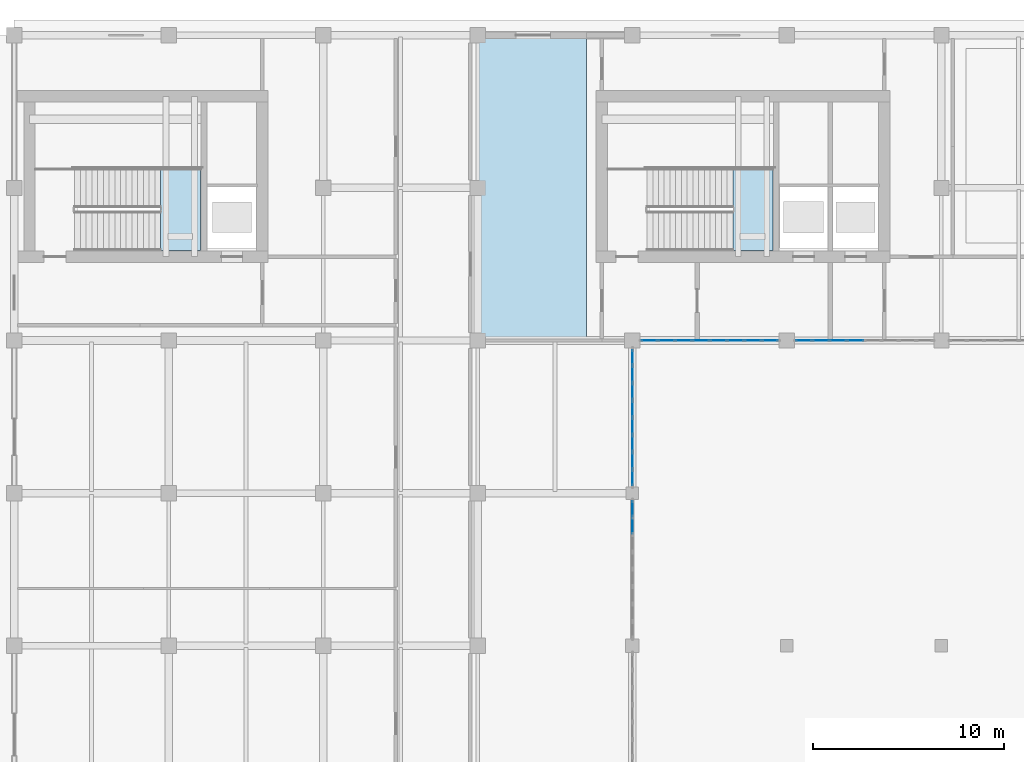
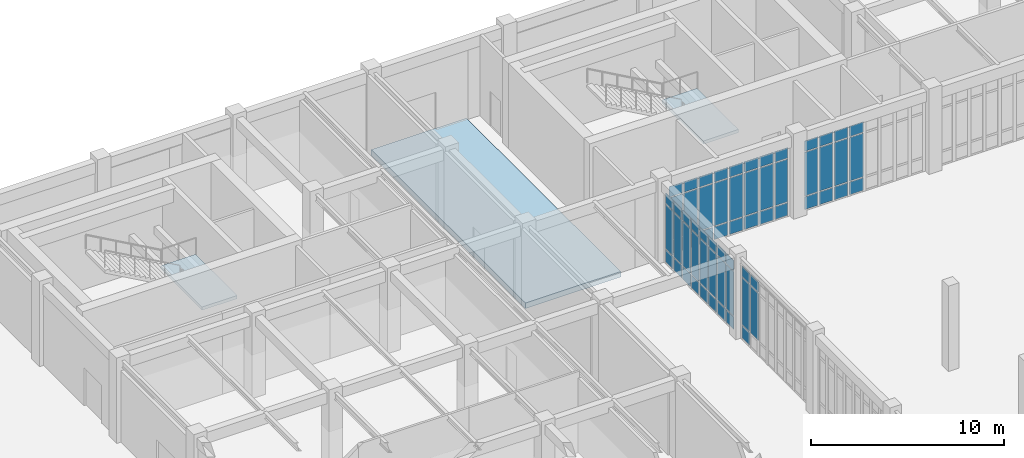
# One storey, part 35 of 62: 65 plates, 3 slabs, 6 elements without a shape of their own.
"""IFC4 building model written with IfcOpenShell, lengths in metres."""

from ifc_helpers import new_model, si_unit, direction, frame, origin, origin_2d, place, context, subcontext, project, spatial, polyline, rectangle, outline, extrude, material, layer, layer_set, type_object, element, aggregate, save


model = new_model("IFC4")

# Units and contexts
model_context = context("Model", 3, precision=1e-05, world=origin(), true_north=direction((0.0, 1.0)))
body_context = subcontext(model_context, "Body", "Model", "MODEL_VIEW")
ifc_project = project(units=[si_unit("LENGTHUNIT", "METRE"), si_unit("AREAUNIT", "SQUARE_METRE"), si_unit("VOLUMEUNIT", "CUBIC_METRE"), si_unit("PLANEANGLEUNIT", "RADIAN"), si_unit("MASSUNIT", "GRAM", prefix="KILO")], contexts=[model_context])

# Site, building, storey
site_placement = place(None, origin())
site = spatial("IfcSite", under=ifc_project, at=site_placement, CompositionType="ELEMENT")
building_placement = place(site_placement, origin())
building = spatial("IfcBuilding", under=site, at=building_placement, Name="Tarnveldt Square Police Headquarters", CompositionType="ELEMENT")
storey_placement = place(building_placement, origin())
storey = spatial("IfcBuildingStorey", under=building, at=storey_placement, Name="L00", CompositionType="ELEMENT", Elevation=0.0)

# Curtain wall, plates
ifc_material_1 = material(Name="Triple-glazed low-e laminated vision glass", Category="glass")
curtain_wall_type_1 = type_object("IfcCurtainWallType", Name="CW-WG-730x470", PredefinedType="USERDEFINED", material=ifc_material_1)
curtain_wall_1_placement = place(storey_placement, origin())
curtain_wall_1 = element("IfcCurtainWall", 1, at=curtain_wall_1_placement, inside=storey, type_object=curtain_wall_type_1, Name="L00 Curtain Wall CW-L00-065", ObjectType="GLAZED CURTAIN WALL", PredefinedType="USERDEFINED")
ifc_layer_1 = layer(ifc_material_1, 0.028076171875)
ifc_layer_set_1 = layer_set([ifc_layer_1], Name="Triple-glazed low-e laminated vision glass")
plate_type = type_object("IfcPlateType", Name="CWP-VIS-28", PredefinedType="CURTAIN_PANEL", material=ifc_layer_set_1)
plate_1_placement = place(storey_placement, frame((48.60009765625, 86.292236328125, 0.9375), z_axis=(0.0, 0.0, 1.0), x_axis=(0.0, 1.0, 0.0)))
plate_1 = element("IfcPlate", 2, at=plate_1_placement, type_object=plate_type, Name="CW-WG26 panel 7.2", PredefinedType="CURTAIN_PANEL", context=body_context, shape_type="SweptSolid", body=[
    extrude(rectangle(XDim=0.826904296875, YDim=0.028076171875, at=origin_2d()), origin(), (0.0, 0.0, 1.0), 2.969970703125),
])
plate_2_placement = place(storey_placement, frame((48.60009765625, 86.292236328125, 3.982421875), z_axis=(0.0, 0.0, 1.0), x_axis=(0.0, 1.0, 0.0)))
plate_2 = element("IfcPlate", 3, at=plate_2_placement, type_object=plate_type, Name="CW-WG26 panel 7.3", PredefinedType="CURTAIN_PANEL", context=body_context, shape_type="SweptSolid", body=[
    extrude(rectangle(XDim=0.826904296875, YDim=0.028076171875, at=origin_2d()), origin(), (0.0, 0.0, 1.0), 0.637451171875),
])
plate_3_placement = place(storey_placement, frame((48.60009765625, 87.182861328125, 0.074951171875), z_axis=(0.0, 0.0, 1.0), x_axis=(0.0, 1.0, 0.0)))
plate_3 = element("IfcPlate", 4, at=plate_3_placement, type_object=plate_type, Name="CW-WG26 panel 8.1", PredefinedType="CURTAIN_PANEL", context=body_context, shape_type="SweptSolid", body=[
    extrude(rectangle(XDim=0.784423828125, YDim=0.028076171875, at=origin_2d()), origin(), (0.0, 0.0, 1.0), 0.78759765625),
])
plate_4_placement = place(storey_placement, frame((48.60009765625, 87.182861328125, 0.9375), z_axis=(0.0, 0.0, 1.0), x_axis=(0.0, 1.0, 0.0)))
plate_4 = element("IfcPlate", 5, at=plate_4_placement, type_object=plate_type, Name="CW-WG26 panel 8.2", PredefinedType="CURTAIN_PANEL", context=body_context, shape_type="SweptSolid", body=[
    extrude(rectangle(XDim=0.784423828125, YDim=0.028076171875, at=origin_2d()), origin(), (0.0, 0.0, 1.0), 2.969970703125),
])
plate_5_placement = place(storey_placement, frame((48.60009765625, 87.182861328125, 3.982421875), z_axis=(0.0, 0.0, 1.0), x_axis=(0.0, 1.0, 0.0)))
plate_5 = element("IfcPlate", 6, at=plate_5_placement, type_object=plate_type, Name="CW-WG26 panel 8.3", PredefinedType="CURTAIN_PANEL", context=body_context, shape_type="SweptSolid", body=[
    extrude(rectangle(XDim=0.784423828125, YDim=0.028076171875, at=origin_2d()), origin(), (0.0, 0.0, 1.0), 0.637451171875),
])
aggregate(curtain_wall_1, [plate_1, plate_2, plate_3, plate_4, plate_5])

curtain_wall_type_2 = type_object("IfcCurtainWallType", Name="CW-WG-724x451", PredefinedType="USERDEFINED", material=ifc_material_1)
curtain_wall_2_placement = place(storey_placement, origin())
curtain_wall_2 = element("IfcCurtainWall", 7, at=curtain_wall_2_placement, inside=storey, type_object=curtain_wall_type_2, Name="L00 Curtain Wall CW-L00-066", ObjectType="GLAZED CURTAIN WALL", PredefinedType="USERDEFINED")
plate_6_placement = place(storey_placement, frame((48.60009765625, 88.81396484375, 0.074951171875), z_axis=(0.0, 0.0, 1.0), x_axis=(0.0, 1.0, 0.0)))
plate_6 = element("IfcPlate", 8, at=plate_6_placement, type_object=plate_type, Name="CW-WG27 panel 1.1", PredefinedType="CURTAIN_PANEL", context=body_context, shape_type="SweptSolid", body=[
    extrude(rectangle(XDim=0.778076171875, YDim=0.028076171875, at=origin_2d()), origin(), (0.0, 0.0, 1.0), 0.78759765625),
])
plate_7_placement = place(storey_placement, frame((48.60009765625, 88.81396484375, 0.9375), z_axis=(0.0, 0.0, 1.0), x_axis=(0.0, 1.0, 0.0)))
plate_7 = element("IfcPlate", 9, at=plate_7_placement, type_object=plate_type, Name="CW-WG27 panel 1.2", PredefinedType="CURTAIN_PANEL", context=body_context, shape_type="SweptSolid", body=[
    extrude(rectangle(XDim=0.778076171875, YDim=0.028076171875, at=origin_2d()), origin(), (0.0, 0.0, 1.0), 2.787109375),
])
plate_8_placement = place(storey_placement, frame((48.60009765625, 88.81396484375, 3.79931640625), z_axis=(0.0, 0.0, 1.0), x_axis=(0.0, 1.0, 0.0)))
plate_8 = element("IfcPlate", 10, at=plate_8_placement, type_object=plate_type, Name="CW-WG27 panel 1.3", PredefinedType="CURTAIN_PANEL", context=body_context, shape_type="SweptSolid", body=[
    extrude(rectangle(XDim=0.778076171875, YDim=0.028076171875, at=origin_2d()), origin(), (0.0, 0.0, 1.0), 0.637451171875),
])
plate_9_placement = place(storey_placement, frame((48.60009765625, 89.698486328125, 0.074951171875), z_axis=(0.0, 0.0, 1.0), x_axis=(0.0, 1.0, 0.0)))
plate_9 = element("IfcPlate", 11, at=plate_9_placement, type_object=plate_type, Name="CW-WG27 panel 2.1", PredefinedType="CURTAIN_PANEL", context=body_context, shape_type="SweptSolid", body=[
    extrude(rectangle(XDim=0.820556640625, YDim=0.028076171875, at=origin_2d()), origin(), (0.0, 0.0, 1.0), 0.78759765625),
])
plate_10_placement = place(storey_placement, frame((48.60009765625, 89.698486328125, 0.9375), z_axis=(0.0, 0.0, 1.0), x_axis=(0.0, 1.0, 0.0)))
plate_10 = element("IfcPlate", 12, at=plate_10_placement, type_object=plate_type, Name="CW-WG27 panel 2.2", PredefinedType="CURTAIN_PANEL", context=body_context, shape_type="SweptSolid", body=[
    extrude(rectangle(XDim=0.820556640625, YDim=0.028076171875, at=origin_2d()), origin(), (0.0, 0.0, 1.0), 2.787109375),
])
plate_11_placement = place(storey_placement, frame((48.60009765625, 89.698486328125, 3.79931640625), z_axis=(0.0, 0.0, 1.0), x_axis=(0.0, 1.0, 0.0)))
plate_11 = element("IfcPlate", 13, at=plate_11_placement, type_object=plate_type, Name="CW-WG27 panel 2.3", PredefinedType="CURTAIN_PANEL", context=body_context, shape_type="SweptSolid", body=[
    extrude(rectangle(XDim=0.820556640625, YDim=0.028076171875, at=origin_2d()), origin(), (0.0, 0.0, 1.0), 0.637451171875),
])
plate_12_placement = place(storey_placement, frame((48.60009765625, 90.60400390625, 0.074951171875), z_axis=(0.0, 0.0, 1.0), x_axis=(0.0, 1.0, 0.0)))
plate_12 = element("IfcPlate", 14, at=plate_12_placement, type_object=plate_type, Name="CW-WG27 panel 3.1", PredefinedType="CURTAIN_PANEL", context=body_context, shape_type="SweptSolid", body=[
    extrude(rectangle(XDim=0.820556640625, YDim=0.028076171875, at=origin_2d()), origin(), (0.0, 0.0, 1.0), 0.78759765625),
])
plate_13_placement = place(storey_placement, frame((48.60009765625, 90.60400390625, 0.9375), z_axis=(0.0, 0.0, 1.0), x_axis=(0.0, 1.0, 0.0)))
plate_13 = element("IfcPlate", 15, at=plate_13_placement, type_object=plate_type, Name="CW-WG27 panel 3.2", PredefinedType="CURTAIN_PANEL", context=body_context, shape_type="SweptSolid", body=[
    extrude(rectangle(XDim=0.820556640625, YDim=0.028076171875, at=origin_2d()), origin(), (0.0, 0.0, 1.0), 2.787109375),
])
plate_14_placement = place(storey_placement, frame((48.60009765625, 90.60400390625, 3.79931640625), z_axis=(0.0, 0.0, 1.0), x_axis=(0.0, 1.0, 0.0)))
plate_14 = element("IfcPlate", 16, at=plate_14_placement, type_object=plate_type, Name="CW-WG27 panel 3.3", PredefinedType="CURTAIN_PANEL", context=body_context, shape_type="SweptSolid", body=[
    extrude(rectangle(XDim=0.820556640625, YDim=0.028076171875, at=origin_2d()), origin(), (0.0, 0.0, 1.0), 0.637451171875),
])
plate_15_placement = place(storey_placement, frame((48.60009765625, 91.509765625, 0.074951171875), z_axis=(0.0, 0.0, 1.0), x_axis=(0.0, 1.0, 0.0)))
plate_15 = element("IfcPlate", 17, at=plate_15_placement, type_object=plate_type, Name="CW-WG27 panel 4.1", PredefinedType="CURTAIN_PANEL", context=body_context, shape_type="SweptSolid", body=[
    extrude(rectangle(XDim=0.820556640625, YDim=0.028076171875, at=origin_2d()), origin(), (0.0, 0.0, 1.0), 0.78759765625),
])
plate_16_placement = place(storey_placement, frame((48.60009765625, 91.509765625, 0.9375), z_axis=(0.0, 0.0, 1.0), x_axis=(0.0, 1.0, 0.0)))
plate_16 = element("IfcPlate", 18, at=plate_16_placement, type_object=plate_type, Name="CW-WG27 panel 4.2", PredefinedType="CURTAIN_PANEL", context=body_context, shape_type="SweptSolid", body=[
    extrude(rectangle(XDim=0.820556640625, YDim=0.028076171875, at=origin_2d()), origin(), (0.0, 0.0, 1.0), 2.787109375),
])
plate_17_placement = place(storey_placement, frame((48.60009765625, 91.509765625, 3.79931640625), z_axis=(0.0, 0.0, 1.0), x_axis=(0.0, 1.0, 0.0)))
plate_17 = element("IfcPlate", 19, at=plate_17_placement, type_object=plate_type, Name="CW-WG27 panel 4.3", PredefinedType="CURTAIN_PANEL", context=body_context, shape_type="SweptSolid", body=[
    extrude(rectangle(XDim=0.820556640625, YDim=0.028076171875, at=origin_2d()), origin(), (0.0, 0.0, 1.0), 0.637451171875),
])
plate_18_placement = place(storey_placement, frame((48.60009765625, 92.415283203125, 0.074951171875), z_axis=(0.0, 0.0, 1.0), x_axis=(0.0, 1.0, 0.0)))
plate_18 = element("IfcPlate", 20, at=plate_18_placement, type_object=plate_type, Name="CW-WG27 panel 5.1", PredefinedType="CURTAIN_PANEL", context=body_context, shape_type="SweptSolid", body=[
    extrude(rectangle(XDim=0.820556640625, YDim=0.028076171875, at=origin_2d()), origin(), (0.0, 0.0, 1.0), 0.78759765625),
])
plate_19_placement = place(storey_placement, frame((48.60009765625, 92.415283203125, 0.9375), z_axis=(0.0, 0.0, 1.0), x_axis=(0.0, 1.0, 0.0)))
plate_19 = element("IfcPlate", 21, at=plate_19_placement, type_object=plate_type, Name="CW-WG27 panel 5.2", PredefinedType="CURTAIN_PANEL", context=body_context, shape_type="SweptSolid", body=[
    extrude(rectangle(XDim=0.820556640625, YDim=0.028076171875, at=origin_2d()), origin(), (0.0, 0.0, 1.0), 2.787109375),
])
plate_20_placement = place(storey_placement, frame((48.60009765625, 92.415283203125, 3.79931640625), z_axis=(0.0, 0.0, 1.0), x_axis=(0.0, 1.0, 0.0)))
plate_20 = element("IfcPlate", 22, at=plate_20_placement, type_object=plate_type, Name="CW-WG27 panel 5.3", PredefinedType="CURTAIN_PANEL", context=body_context, shape_type="SweptSolid", body=[
    extrude(rectangle(XDim=0.820556640625, YDim=0.028076171875, at=origin_2d()), origin(), (0.0, 0.0, 1.0), 0.637451171875),
])
plate_21_placement = place(storey_placement, frame((48.60009765625, 93.321044921875, 0.074951171875), z_axis=(0.0, 0.0, 1.0), x_axis=(0.0, 1.0, 0.0)))
plate_21 = element("IfcPlate", 23, at=plate_21_placement, type_object=plate_type, Name="CW-WG27 panel 6.1", PredefinedType="CURTAIN_PANEL", context=body_context, shape_type="SweptSolid", body=[
    extrude(rectangle(XDim=0.820556640625, YDim=0.028076171875, at=origin_2d()), origin(), (0.0, 0.0, 1.0), 0.78759765625),
])
plate_22_placement = place(storey_placement, frame((48.60009765625, 93.321044921875, 0.9375), z_axis=(0.0, 0.0, 1.0), x_axis=(0.0, 1.0, 0.0)))
plate_22 = element("IfcPlate", 24, at=plate_22_placement, type_object=plate_type, Name="CW-WG27 panel 6.2", PredefinedType="CURTAIN_PANEL", context=body_context, shape_type="SweptSolid", body=[
    extrude(rectangle(XDim=0.820556640625, YDim=0.028076171875, at=origin_2d()), origin(), (0.0, 0.0, 1.0), 2.787109375),
])
plate_23_placement = place(storey_placement, frame((48.60009765625, 93.321044921875, 3.79931640625), z_axis=(0.0, 0.0, 1.0), x_axis=(0.0, 1.0, 0.0)))
plate_23 = element("IfcPlate", 25, at=plate_23_placement, type_object=plate_type, Name="CW-WG27 panel 6.3", PredefinedType="CURTAIN_PANEL", context=body_context, shape_type="SweptSolid", body=[
    extrude(rectangle(XDim=0.820556640625, YDim=0.028076171875, at=origin_2d()), origin(), (0.0, 0.0, 1.0), 0.637451171875),
])
plate_24_placement = place(storey_placement, frame((48.60009765625, 94.2265625, 0.074951171875), z_axis=(0.0, 0.0, 1.0), x_axis=(0.0, 1.0, 0.0)))
plate_24 = element("IfcPlate", 26, at=plate_24_placement, type_object=plate_type, Name="CW-WG27 panel 7.1", PredefinedType="CURTAIN_PANEL", context=body_context, shape_type="SweptSolid", body=[
    extrude(rectangle(XDim=0.820556640625, YDim=0.028076171875, at=origin_2d()), origin(), (0.0, 0.0, 1.0), 0.78759765625),
])
plate_25_placement = place(storey_placement, frame((48.60009765625, 94.2265625, 0.9375), z_axis=(0.0, 0.0, 1.0), x_axis=(0.0, 1.0, 0.0)))
plate_25 = element("IfcPlate", 27, at=plate_25_placement, type_object=plate_type, Name="CW-WG27 panel 7.2", PredefinedType="CURTAIN_PANEL", context=body_context, shape_type="SweptSolid", body=[
    extrude(rectangle(XDim=0.820556640625, YDim=0.028076171875, at=origin_2d()), origin(), (0.0, 0.0, 1.0), 2.787109375),
])
plate_26_placement = place(storey_placement, frame((48.60009765625, 94.2265625, 3.79931640625), z_axis=(0.0, 0.0, 1.0), x_axis=(0.0, 1.0, 0.0)))
plate_26 = element("IfcPlate", 28, at=plate_26_placement, type_object=plate_type, Name="CW-WG27 panel 7.3", PredefinedType="CURTAIN_PANEL", context=body_context, shape_type="SweptSolid", body=[
    extrude(rectangle(XDim=0.820556640625, YDim=0.028076171875, at=origin_2d()), origin(), (0.0, 0.0, 1.0), 0.637451171875),
])
plate_27_placement = place(storey_placement, frame((48.60009765625, 95.11083984375, 0.074951171875), z_axis=(0.0, 0.0, 1.0), x_axis=(0.0, 1.0, 0.0)))
plate_27 = element("IfcPlate", 29, at=plate_27_placement, type_object=plate_type, Name="CW-WG27 panel 8.1", PredefinedType="CURTAIN_PANEL", context=body_context, shape_type="SweptSolid", body=[
    extrude(rectangle(XDim=0.778076171875, YDim=0.028076171875, at=origin_2d()), origin(), (0.0, 0.0, 1.0), 0.78759765625),
])
plate_28_placement = place(storey_placement, frame((48.60009765625, 95.11083984375, 0.9375), z_axis=(0.0, 0.0, 1.0), x_axis=(0.0, 1.0, 0.0)))
plate_28 = element("IfcPlate", 30, at=plate_28_placement, type_object=plate_type, Name="CW-WG27 panel 8.2", PredefinedType="CURTAIN_PANEL", context=body_context, shape_type="SweptSolid", body=[
    extrude(rectangle(XDim=0.778076171875, YDim=0.028076171875, at=origin_2d()), origin(), (0.0, 0.0, 1.0), 2.787109375),
])
plate_29_placement = place(storey_placement, frame((48.60009765625, 95.11083984375, 3.79931640625), z_axis=(0.0, 0.0, 1.0), x_axis=(0.0, 1.0, 0.0)))
plate_29 = element("IfcPlate", 31, at=plate_29_placement, type_object=plate_type, Name="CW-WG27 panel 8.3", PredefinedType="CURTAIN_PANEL", context=body_context, shape_type="SweptSolid", body=[
    extrude(rectangle(XDim=0.778076171875, YDim=0.028076171875, at=origin_2d()), origin(), (0.0, 0.0, 1.0), 0.637451171875),
])
aggregate(curtain_wall_2, [plate_6, plate_7, plate_8, plate_9, plate_10, plate_11, plate_12, plate_13, plate_14, plate_15, plate_16, plate_17, plate_18, plate_19, plate_20, plate_21, plate_22, plate_23, plate_24, plate_25, plate_26, plate_27, plate_28, plate_29])

curtain_wall_type_3 = type_object("IfcCurtainWallType", Name="CW-LB-727x441", PredefinedType="USERDEFINED", material=ifc_material_1)
curtain_wall_3_placement = place(storey_placement, origin())
curtain_wall_3 = element("IfcCurtainWall", 32, at=curtain_wall_3_placement, inside=storey, type_object=curtain_wall_type_3, Name="L00 Curtain Wall CW-L00-099", ObjectType="GLAZED CURTAIN WALL", PredefinedType="USERDEFINED")
plate_30_placement = place(storey_placement, frame((49.488037109375, 96.0, 0.06494140625), z_axis=(0.0, 0.0, 1.0), x_axis=(1.0, 0.0, 0.0)))
plate_30 = element("IfcPlate", 33, at=plate_30_placement, type_object=plate_type, Name="CW-LB56 panel 1.1", PredefinedType="CURTAIN_PANEL", context=body_context, shape_type="SweptSolid", body=[
    extrude(rectangle(XDim=0.796142578125, YDim=0.028076171875, at=origin_2d()), origin(), (0.0, 0.0, 1.0), 0.802490234375),
])
plate_31_placement = place(storey_placement, frame((49.488037109375, 96.0, 0.9326171875), z_axis=(0.0, 0.0, 1.0), x_axis=(1.0, 0.0, 0.0)))
plate_31 = element("IfcPlate", 34, at=plate_31_placement, type_object=plate_type, Name="CW-LB56 panel 1.2", PredefinedType="CURTAIN_PANEL", context=body_context, shape_type="SweptSolid", body=[
    extrude(rectangle(XDim=0.796142578125, YDim=0.028076171875, at=origin_2d()), origin(), (0.0, 0.0, 1.0), 2.697021484375),
])
plate_32_placement = place(storey_placement, frame((49.488037109375, 96.0, 3.6943359375), z_axis=(0.0, 0.0, 1.0), x_axis=(1.0, 0.0, 0.0)))
plate_32 = element("IfcPlate", 35, at=plate_32_placement, type_object=plate_type, Name="CW-LB56 panel 1.3", PredefinedType="CURTAIN_PANEL", context=body_context, shape_type="SweptSolid", body=[
    extrude(rectangle(XDim=0.796142578125, YDim=0.028076171875, at=origin_2d()), origin(), (0.0, 0.0, 1.0), 0.652587890625),
])
plate_33_placement = place(storey_placement, frame((50.378173828125, 96.0, 0.06494140625), z_axis=(0.0, 0.0, 1.0), x_axis=(1.0, 0.0, 0.0)))
plate_33 = element("IfcPlate", 36, at=plate_33_placement, type_object=plate_type, Name="CW-LB56 panel 2.1", PredefinedType="CURTAIN_PANEL", context=body_context, shape_type="SweptSolid", body=[
    extrude(rectangle(XDim=0.833740234375, YDim=0.028076171875, at=origin_2d()), origin(), (0.0, 0.0, 1.0), 0.802490234375),
])
plate_34_placement = place(storey_placement, frame((50.378173828125, 96.0, 0.9326171875), z_axis=(0.0, 0.0, 1.0), x_axis=(1.0, 0.0, 0.0)))
plate_34 = element("IfcPlate", 37, at=plate_34_placement, type_object=plate_type, Name="CW-LB56 panel 2.2", PredefinedType="CURTAIN_PANEL", context=body_context, shape_type="SweptSolid", body=[
    extrude(rectangle(XDim=0.833740234375, YDim=0.028076171875, at=origin_2d()), origin(), (0.0, 0.0, 1.0), 2.697021484375),
])
plate_35_placement = place(storey_placement, frame((50.378173828125, 96.0, 3.6943359375), z_axis=(0.0, 0.0, 1.0), x_axis=(1.0, 0.0, 0.0)))
plate_35 = element("IfcPlate", 38, at=plate_35_placement, type_object=plate_type, Name="CW-LB56 panel 2.3", PredefinedType="CURTAIN_PANEL", context=body_context, shape_type="SweptSolid", body=[
    extrude(rectangle(XDim=0.833740234375, YDim=0.028076171875, at=origin_2d()), origin(), (0.0, 0.0, 1.0), 0.652587890625),
])
plate_36_placement = place(storey_placement, frame((51.286865234375, 96.0, 0.06494140625), z_axis=(0.0, 0.0, 1.0), x_axis=(1.0, 0.0, 0.0)))
plate_36 = element("IfcPlate", 39, at=plate_36_placement, type_object=plate_type, Name="CW-LB56 panel 3.1", PredefinedType="CURTAIN_PANEL", context=body_context, shape_type="SweptSolid", body=[
    extrude(rectangle(XDim=0.833740234375, YDim=0.028076171875, at=origin_2d()), origin(), (0.0, 0.0, 1.0), 0.802490234375),
])
plate_37_placement = place(storey_placement, frame((51.286865234375, 96.0, 0.9326171875), z_axis=(0.0, 0.0, 1.0), x_axis=(1.0, 0.0, 0.0)))
plate_37 = element("IfcPlate", 40, at=plate_37_placement, type_object=plate_type, Name="CW-LB56 panel 3.2", PredefinedType="CURTAIN_PANEL", context=body_context, shape_type="SweptSolid", body=[
    extrude(rectangle(XDim=0.833740234375, YDim=0.028076171875, at=origin_2d()), origin(), (0.0, 0.0, 1.0), 2.697021484375),
])
plate_38_placement = place(storey_placement, frame((51.286865234375, 96.0, 3.6943359375), z_axis=(0.0, 0.0, 1.0), x_axis=(1.0, 0.0, 0.0)))
plate_38 = element("IfcPlate", 41, at=plate_38_placement, type_object=plate_type, Name="CW-LB56 panel 3.3", PredefinedType="CURTAIN_PANEL", context=body_context, shape_type="SweptSolid", body=[
    extrude(rectangle(XDim=0.833740234375, YDim=0.028076171875, at=origin_2d()), origin(), (0.0, 0.0, 1.0), 0.652587890625),
])
plate_39_placement = place(storey_placement, frame((52.195556640625, 96.0, 0.06494140625), z_axis=(0.0, 0.0, 1.0), x_axis=(1.0, 0.0, 0.0)))
plate_39 = element("IfcPlate", 42, at=plate_39_placement, type_object=plate_type, Name="CW-LB56 panel 4.1", PredefinedType="CURTAIN_PANEL", context=body_context, shape_type="SweptSolid", body=[
    extrude(rectangle(XDim=0.833740234375, YDim=0.028076171875, at=origin_2d()), origin(), (0.0, 0.0, 1.0), 0.802490234375),
])
plate_40_placement = place(storey_placement, frame((52.195556640625, 96.0, 0.9326171875), z_axis=(0.0, 0.0, 1.0), x_axis=(1.0, 0.0, 0.0)))
plate_40 = element("IfcPlate", 43, at=plate_40_placement, type_object=plate_type, Name="CW-LB56 panel 4.2", PredefinedType="CURTAIN_PANEL", context=body_context, shape_type="SweptSolid", body=[
    extrude(rectangle(XDim=0.833740234375, YDim=0.028076171875, at=origin_2d()), origin(), (0.0, 0.0, 1.0), 2.697021484375),
])
plate_41_placement = place(storey_placement, frame((52.195556640625, 96.0, 3.6943359375), z_axis=(0.0, 0.0, 1.0), x_axis=(1.0, 0.0, 0.0)))
plate_41 = element("IfcPlate", 44, at=plate_41_placement, type_object=plate_type, Name="CW-LB56 panel 4.3", PredefinedType="CURTAIN_PANEL", context=body_context, shape_type="SweptSolid", body=[
    extrude(rectangle(XDim=0.833740234375, YDim=0.028076171875, at=origin_2d()), origin(), (0.0, 0.0, 1.0), 0.652587890625),
])
plate_42_placement = place(storey_placement, frame((53.1044921875, 96.0, 0.06494140625), z_axis=(0.0, 0.0, 1.0), x_axis=(1.0, 0.0, 0.0)))
plate_42 = element("IfcPlate", 45, at=plate_42_placement, type_object=plate_type, Name="CW-LB56 panel 5.1", PredefinedType="CURTAIN_PANEL", context=body_context, shape_type="SweptSolid", body=[
    extrude(rectangle(XDim=0.833740234375, YDim=0.028076171875, at=origin_2d()), origin(), (0.0, 0.0, 1.0), 0.802490234375),
])
plate_43_placement = place(storey_placement, frame((53.1044921875, 96.0, 0.9326171875), z_axis=(0.0, 0.0, 1.0), x_axis=(1.0, 0.0, 0.0)))
plate_43 = element("IfcPlate", 46, at=plate_43_placement, type_object=plate_type, Name="CW-LB56 panel 5.2", PredefinedType="CURTAIN_PANEL", context=body_context, shape_type="SweptSolid", body=[
    extrude(rectangle(XDim=0.833740234375, YDim=0.028076171875, at=origin_2d()), origin(), (0.0, 0.0, 1.0), 2.697021484375),
])
plate_44_placement = place(storey_placement, frame((53.1044921875, 96.0, 3.6943359375), z_axis=(0.0, 0.0, 1.0), x_axis=(1.0, 0.0, 0.0)))
plate_44 = element("IfcPlate", 47, at=plate_44_placement, type_object=plate_type, Name="CW-LB56 panel 5.3", PredefinedType="CURTAIN_PANEL", context=body_context, shape_type="SweptSolid", body=[
    extrude(rectangle(XDim=0.833740234375, YDim=0.028076171875, at=origin_2d()), origin(), (0.0, 0.0, 1.0), 0.652587890625),
])
plate_45_placement = place(storey_placement, frame((54.01318359375, 96.0, 0.06494140625), z_axis=(0.0, 0.0, 1.0), x_axis=(1.0, 0.0, 0.0)))
plate_45 = element("IfcPlate", 48, at=plate_45_placement, type_object=plate_type, Name="CW-LB56 panel 6.1", PredefinedType="CURTAIN_PANEL", context=body_context, shape_type="SweptSolid", body=[
    extrude(rectangle(XDim=0.833740234375, YDim=0.028076171875, at=origin_2d()), origin(), (0.0, 0.0, 1.0), 0.802490234375),
])
plate_46_placement = place(storey_placement, frame((54.01318359375, 96.0, 0.9326171875), z_axis=(0.0, 0.0, 1.0), x_axis=(1.0, 0.0, 0.0)))
plate_46 = element("IfcPlate", 49, at=plate_46_placement, type_object=plate_type, Name="CW-LB56 panel 6.2", PredefinedType="CURTAIN_PANEL", context=body_context, shape_type="SweptSolid", body=[
    extrude(rectangle(XDim=0.833740234375, YDim=0.028076171875, at=origin_2d()), origin(), (0.0, 0.0, 1.0), 2.697021484375),
])
plate_47_placement = place(storey_placement, frame((54.01318359375, 96.0, 3.6943359375), z_axis=(0.0, 0.0, 1.0), x_axis=(1.0, 0.0, 0.0)))
plate_47 = element("IfcPlate", 50, at=plate_47_placement, type_object=plate_type, Name="CW-LB56 panel 6.3", PredefinedType="CURTAIN_PANEL", context=body_context, shape_type="SweptSolid", body=[
    extrude(rectangle(XDim=0.833740234375, YDim=0.028076171875, at=origin_2d()), origin(), (0.0, 0.0, 1.0), 0.652587890625),
])
plate_48_placement = place(storey_placement, frame((54.921875, 96.0, 0.06494140625), z_axis=(0.0, 0.0, 1.0), x_axis=(1.0, 0.0, 0.0)))
plate_48 = element("IfcPlate", 51, at=plate_48_placement, type_object=plate_type, Name="CW-LB56 panel 7.1", PredefinedType="CURTAIN_PANEL", context=body_context, shape_type="SweptSolid", body=[
    extrude(rectangle(XDim=0.833740234375, YDim=0.028076171875, at=origin_2d()), origin(), (0.0, 0.0, 1.0), 0.802490234375),
])
plate_49_placement = place(storey_placement, frame((54.921875, 96.0, 0.9326171875), z_axis=(0.0, 0.0, 1.0), x_axis=(1.0, 0.0, 0.0)))
plate_49 = element("IfcPlate", 52, at=plate_49_placement, type_object=plate_type, Name="CW-LB56 panel 7.2", PredefinedType="CURTAIN_PANEL", context=body_context, shape_type="SweptSolid", body=[
    extrude(rectangle(XDim=0.833740234375, YDim=0.028076171875, at=origin_2d()), origin(), (0.0, 0.0, 1.0), 2.697021484375),
])
plate_50_placement = place(storey_placement, frame((54.921875, 96.0, 3.6943359375), z_axis=(0.0, 0.0, 1.0), x_axis=(1.0, 0.0, 0.0)))
plate_50 = element("IfcPlate", 53, at=plate_50_placement, type_object=plate_type, Name="CW-LB56 panel 7.3", PredefinedType="CURTAIN_PANEL", context=body_context, shape_type="SweptSolid", body=[
    extrude(rectangle(XDim=0.833740234375, YDim=0.028076171875, at=origin_2d()), origin(), (0.0, 0.0, 1.0), 0.652587890625),
])
plate_51_placement = place(storey_placement, frame((55.811767578125, 96.0, 0.06494140625), z_axis=(0.0, 0.0, 1.0), x_axis=(1.0, 0.0, 0.0)))
plate_51 = element("IfcPlate", 54, at=plate_51_placement, type_object=plate_type, Name="CW-LB56 panel 8.1", PredefinedType="CURTAIN_PANEL", context=body_context, shape_type="SweptSolid", body=[
    extrude(rectangle(XDim=0.796142578125, YDim=0.028076171875, at=origin_2d()), origin(), (0.0, 0.0, 1.0), 0.802490234375),
])
plate_52_placement = place(storey_placement, frame((55.811767578125, 96.0, 0.9326171875), z_axis=(0.0, 0.0, 1.0), x_axis=(1.0, 0.0, 0.0)))
plate_52 = element("IfcPlate", 55, at=plate_52_placement, type_object=plate_type, Name="CW-LB56 panel 8.2", PredefinedType="CURTAIN_PANEL", context=body_context, shape_type="SweptSolid", body=[
    extrude(rectangle(XDim=0.796142578125, YDim=0.028076171875, at=origin_2d()), origin(), (0.0, 0.0, 1.0), 2.697021484375),
])
plate_53_placement = place(storey_placement, frame((55.811767578125, 96.0, 3.6943359375), z_axis=(0.0, 0.0, 1.0), x_axis=(1.0, 0.0, 0.0)))
plate_53 = element("IfcPlate", 56, at=plate_53_placement, type_object=plate_type, Name="CW-LB56 panel 8.3", PredefinedType="CURTAIN_PANEL", context=body_context, shape_type="SweptSolid", body=[
    extrude(rectangle(XDim=0.796142578125, YDim=0.028076171875, at=origin_2d()), origin(), (0.0, 0.0, 1.0), 0.652587890625),
])
aggregate(curtain_wall_3, [plate_30, plate_31, plate_32, plate_33, plate_34, plate_35, plate_36, plate_37, plate_38, plate_39, plate_40, plate_41, plate_42, plate_43, plate_44, plate_45, plate_46, plate_47, plate_48, plate_49, plate_50, plate_51, plate_52, plate_53])

curtain_wall_type_4 = type_object("IfcCurtainWallType", Name="CW-LB-727x446", PredefinedType="USERDEFINED", material=ifc_material_1)
curtain_wall_4_placement = place(storey_placement, origin())
curtain_wall_4 = element("IfcCurtainWall", 57, at=curtain_wall_4_placement, inside=storey, type_object=curtain_wall_type_4, Name="L00 Curtain Wall CW-L00-100", ObjectType="GLAZED CURTAIN WALL", PredefinedType="USERDEFINED")
plate_54_placement = place(storey_placement, frame((57.588134765625, 96.0, 0.06494140625), z_axis=(0.0, 0.0, 1.0), x_axis=(1.0, 0.0, 0.0)))
plate_54 = element("IfcPlate", 58, at=plate_54_placement, type_object=plate_type, Name="CW-LB57 panel 1.1", PredefinedType="CURTAIN_PANEL", context=body_context, shape_type="SweptSolid", body=[
    extrude(rectangle(XDim=0.796142578125, YDim=0.028076171875, at=origin_2d()), origin(), (0.0, 0.0, 1.0), 0.802490234375),
])
plate_55_placement = place(storey_placement, frame((57.588134765625, 96.0, 0.932373046875), z_axis=(0.0, 0.0, 1.0), x_axis=(1.0, 0.0, 0.0)))
plate_55 = element("IfcPlate", 59, at=plate_55_placement, type_object=plate_type, Name="CW-LB57 panel 1.2", PredefinedType="CURTAIN_PANEL", context=body_context, shape_type="SweptSolid", body=[
    extrude(rectangle(XDim=0.796142578125, YDim=0.028076171875, at=origin_2d()), origin(), (0.0, 0.0, 1.0), 2.7470703125),
])
plate_56_placement = place(storey_placement, frame((57.588134765625, 96.0, 3.74462890625), z_axis=(0.0, 0.0, 1.0), x_axis=(1.0, 0.0, 0.0)))
plate_56 = element("IfcPlate", 60, at=plate_56_placement, type_object=plate_type, Name="CW-LB57 panel 1.3", PredefinedType="CURTAIN_PANEL", context=body_context, shape_type="SweptSolid", body=[
    extrude(rectangle(XDim=0.796142578125, YDim=0.028076171875, at=origin_2d()), origin(), (0.0, 0.0, 1.0), 0.652587890625),
])
plate_57_placement = place(storey_placement, frame((58.47802734375, 96.0, 0.06494140625), z_axis=(0.0, 0.0, 1.0), x_axis=(1.0, 0.0, 0.0)))
plate_57 = element("IfcPlate", 61, at=plate_57_placement, type_object=plate_type, Name="CW-LB57 panel 2.1", PredefinedType="CURTAIN_PANEL", context=body_context, shape_type="SweptSolid", body=[
    extrude(rectangle(XDim=0.833740234375, YDim=0.028076171875, at=origin_2d()), origin(), (0.0, 0.0, 1.0), 0.802490234375),
])
plate_58_placement = place(storey_placement, frame((58.47802734375, 96.0, 0.932373046875), z_axis=(0.0, 0.0, 1.0), x_axis=(1.0, 0.0, 0.0)))
plate_58 = element("IfcPlate", 62, at=plate_58_placement, type_object=plate_type, Name="CW-LB57 panel 2.2", PredefinedType="CURTAIN_PANEL", context=body_context, shape_type="SweptSolid", body=[
    extrude(rectangle(XDim=0.833740234375, YDim=0.028076171875, at=origin_2d()), origin(), (0.0, 0.0, 1.0), 2.7470703125),
])
plate_59_placement = place(storey_placement, frame((58.47802734375, 96.0, 3.74462890625), z_axis=(0.0, 0.0, 1.0), x_axis=(1.0, 0.0, 0.0)))
plate_59 = element("IfcPlate", 63, at=plate_59_placement, type_object=plate_type, Name="CW-LB57 panel 2.3", PredefinedType="CURTAIN_PANEL", context=body_context, shape_type="SweptSolid", body=[
    extrude(rectangle(XDim=0.833740234375, YDim=0.028076171875, at=origin_2d()), origin(), (0.0, 0.0, 1.0), 0.652587890625),
])
plate_60_placement = place(storey_placement, frame((59.386962890625, 96.0, 0.06494140625), z_axis=(0.0, 0.0, 1.0), x_axis=(1.0, 0.0, 0.0)))
plate_60 = element("IfcPlate", 64, at=plate_60_placement, type_object=plate_type, Name="CW-LB57 panel 3.1", PredefinedType="CURTAIN_PANEL", context=body_context, shape_type="SweptSolid", body=[
    extrude(rectangle(XDim=0.833740234375, YDim=0.028076171875, at=origin_2d()), origin(), (0.0, 0.0, 1.0), 0.802490234375),
])
plate_61_placement = place(storey_placement, frame((59.386962890625, 96.0, 0.932373046875), z_axis=(0.0, 0.0, 1.0), x_axis=(1.0, 0.0, 0.0)))
plate_61 = element("IfcPlate", 65, at=plate_61_placement, type_object=plate_type, Name="CW-LB57 panel 3.2", PredefinedType="CURTAIN_PANEL", context=body_context, shape_type="SweptSolid", body=[
    extrude(rectangle(XDim=0.833740234375, YDim=0.028076171875, at=origin_2d()), origin(), (0.0, 0.0, 1.0), 2.7470703125),
])
plate_62_placement = place(storey_placement, frame((59.386962890625, 96.0, 3.74462890625), z_axis=(0.0, 0.0, 1.0), x_axis=(1.0, 0.0, 0.0)))
plate_62 = element("IfcPlate", 66, at=plate_62_placement, type_object=plate_type, Name="CW-LB57 panel 3.3", PredefinedType="CURTAIN_PANEL", context=body_context, shape_type="SweptSolid", body=[
    extrude(rectangle(XDim=0.833740234375, YDim=0.028076171875, at=origin_2d()), origin(), (0.0, 0.0, 1.0), 0.652587890625),
])
plate_63_placement = place(storey_placement, frame((60.295654296875, 96.0, 0.06494140625), z_axis=(0.0, 0.0, 1.0), x_axis=(1.0, 0.0, 0.0)))
plate_63 = element("IfcPlate", 67, at=plate_63_placement, type_object=plate_type, Name="CW-LB57 panel 4.1", PredefinedType="CURTAIN_PANEL", context=body_context, shape_type="SweptSolid", body=[
    extrude(rectangle(XDim=0.833740234375, YDim=0.028076171875, at=origin_2d()), origin(), (0.0, 0.0, 1.0), 0.802490234375),
])
plate_64_placement = place(storey_placement, frame((60.295654296875, 96.0, 0.932373046875), z_axis=(0.0, 0.0, 1.0), x_axis=(1.0, 0.0, 0.0)))
plate_64 = element("IfcPlate", 68, at=plate_64_placement, type_object=plate_type, Name="CW-LB57 panel 4.2", PredefinedType="CURTAIN_PANEL", context=body_context, shape_type="SweptSolid", body=[
    extrude(rectangle(XDim=0.833740234375, YDim=0.028076171875, at=origin_2d()), origin(), (0.0, 0.0, 1.0), 2.7470703125),
])
plate_65_placement = place(storey_placement, frame((60.295654296875, 96.0, 3.74462890625), z_axis=(0.0, 0.0, 1.0), x_axis=(1.0, 0.0, 0.0)))
plate_65 = element("IfcPlate", 69, at=plate_65_placement, type_object=plate_type, Name="CW-LB57 panel 4.3", PredefinedType="CURTAIN_PANEL", context=body_context, shape_type="SweptSolid", body=[
    extrude(rectangle(XDim=0.833740234375, YDim=0.028076171875, at=origin_2d()), origin(), (0.0, 0.0, 1.0), 0.652587890625),
])
aggregate(curtain_wall_4, [plate_54, plate_55, plate_56, plate_57, plate_58, plate_59, plate_60, plate_61, plate_62, plate_63, plate_64, plate_65])

# Slab
ifc_material_2 = material(Name="Concrete 40 MPa", Category="concrete")
ifc_layer_2 = layer(ifc_material_2, 0.35009765625)
ifc_layer_set_2 = layer_set([ifc_layer_2], Name="Concrete 40 MPa")
slab_type_1 = type_object("IfcSlabType", Name="SL-L00-350", PredefinedType="FLOOR", material=ifc_layer_set_2)
slab_1_placement = place(storey_placement, frame((0.0, 0.0, -0.35009765625)))
element("IfcSlab", 70, at=slab_1_placement, inside=storey, type_object=slab_type_1, Name="L00 Structural Floor Slab L00-V5N-1", PredefinedType="FLOOR", context=body_context, shape_type="SweptSolid", body=[
    extrude(outline(polyline([(40.5, 96.0), (40.5, 112.0), (46.199951171875, 112.0), (46.199951171875, 96.0), (40.5, 96.0)])), origin(), (0.0, 0.0, 1.0), 0.35009765625),
])

# Stair, slab
stair_type = type_object("IfcStairType", Name="STR-HT-48A", PredefinedType="HALF_TURN_STAIR", material=ifc_material_2)
stair_1_placement = place(storey_placement, origin())
stair_1 = element("IfcStair", 71, at=stair_1_placement, inside=storey, type_object=stair_type, Name="L00 Core K2 Exit Stair ST2", PredefinedType="HALF_TURN_STAIR")
ifc_layer_3 = layer(ifc_material_2, 0.179931640625)
ifc_layer_set_3 = layer_set([ifc_layer_3], Name="Concrete 40 MPa")
slab_type_2 = type_object("IfcSlabType", Name="SL-LND-180", PredefinedType="LANDING", material=ifc_layer_set_3)
slab_2_placement = place(storey_placement, frame((0.0, 0.0, 2.5)))
slab_2 = element("IfcSlab", 72, at=slab_2_placement, type_object=slab_type_2, Name="ST2 landing 1", PredefinedType="LANDING", context=body_context, shape_type="SweptSolid", body=[
    extrude(outline(polyline([(23.8701171875, 100.719970703125), (25.969970703125, 100.719970703125), (25.969970703125, 105.02001953125), (23.8701171875, 105.02001953125), (23.8701171875, 100.719970703125)])), origin(), (0.0, 0.0, 1.0), 0.199951171875),
])
aggregate(stair_1, [slab_2])

stair_2_placement = place(storey_placement, origin())
stair_2 = element("IfcStair", 73, at=stair_2_placement, inside=storey, type_object=stair_type, Name="L00 Core K3 Exit Stair ST3", PredefinedType="HALF_TURN_STAIR")
slab_3_placement = place(storey_placement, frame((0.0, 0.0, 2.5)))
slab_3 = element("IfcSlab", 74, at=slab_3_placement, type_object=slab_type_2, Name="ST3 landing 1", PredefinedType="LANDING", context=body_context, shape_type="SweptSolid", body=[
    extrude(outline(polyline([(53.8701171875, 100.719970703125), (55.969970703125, 100.719970703125), (55.969970703125, 105.02001953125), (53.8701171875, 105.02001953125), (53.8701171875, 100.719970703125)])), origin(), (0.0, 0.0, 1.0), 0.199951171875),
])
aggregate(stair_2, [slab_3])

save(model, "model.ifc")
